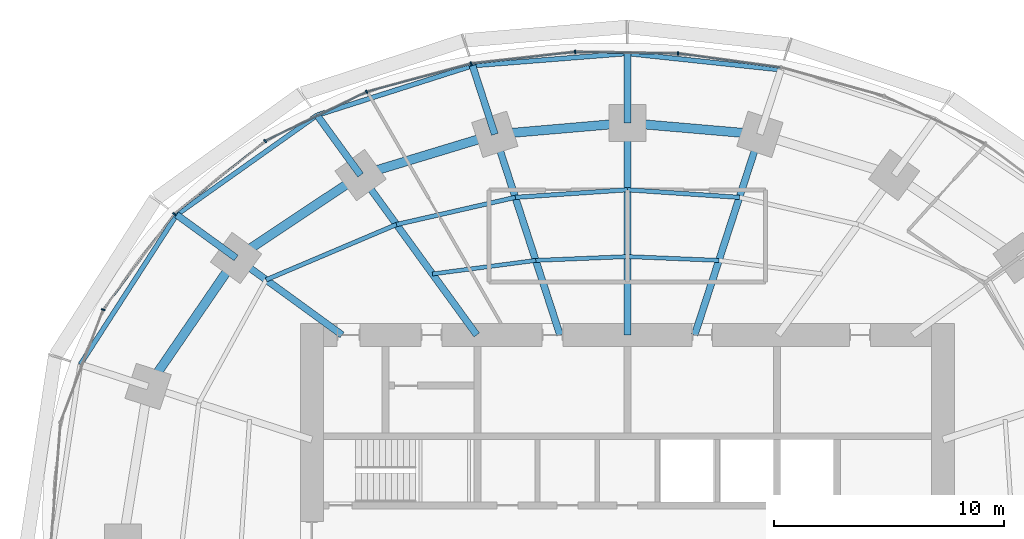
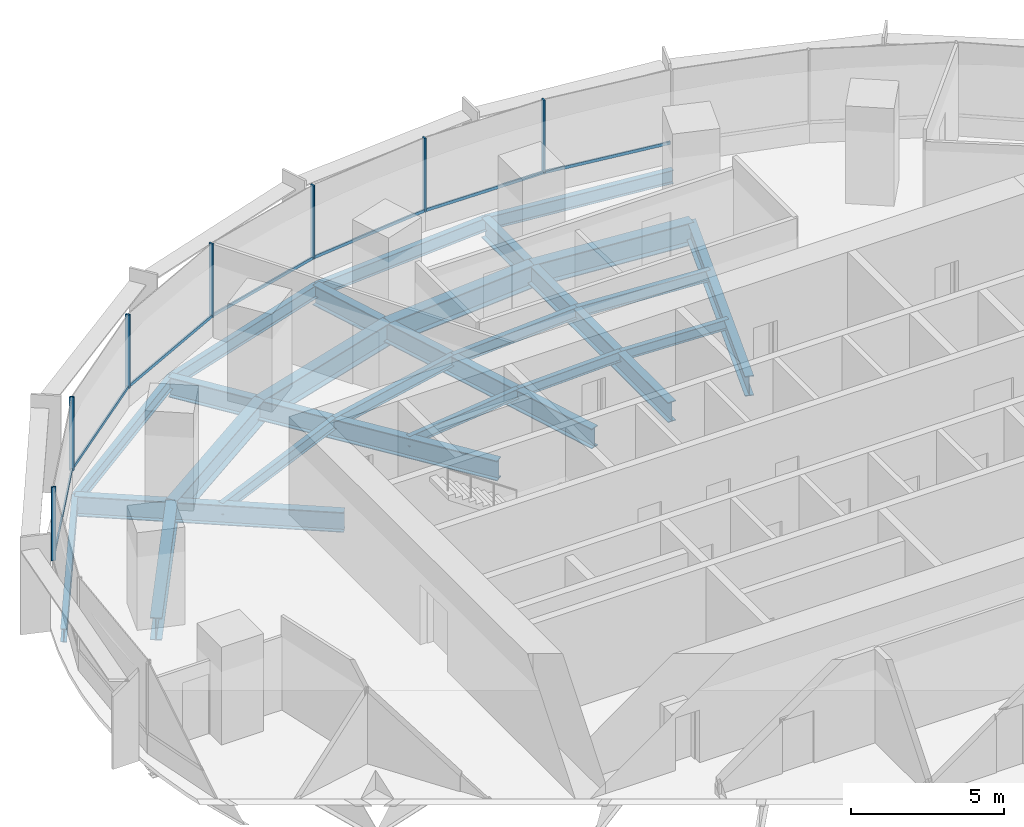
# One storey, part 7 of 14: 26 beams, 14 members, 2 elements without a shape of their own.
"""IFC4 building model written with IfcOpenShell, lengths in metres."""

from ifc_helpers import new_model, si_unit, direction, frame, origin, origin_2d, place, context, subcontext, project, spatial, rectangle, i_section, extrude, material, material_profile, profile_set, type_object, element, aggregate, save


model = new_model("IFC4")

# Units and contexts
model_context = context("Model", 3, precision=1e-05, world=origin(), true_north=direction((0.0, 1.0)))
body_context = subcontext(model_context, "Body", "Model", "MODEL_VIEW")
ifc_project = project(units=[si_unit("LENGTHUNIT", "METRE"), si_unit("AREAUNIT", "SQUARE_METRE"), si_unit("VOLUMEUNIT", "CUBIC_METRE"), si_unit("PLANEANGLEUNIT", "RADIAN"), si_unit("MASSUNIT", "GRAM", prefix="KILO")], contexts=[model_context])

# Site, building, storey
site_placement = place(None, origin())
site = spatial("IfcSite", under=ifc_project, at=site_placement, CompositionType="ELEMENT")
building_placement = place(site_placement, origin())
building = spatial("IfcBuilding", under=site, at=building_placement, Name="Marramba Exchange Tower", CompositionType="ELEMENT")
storey_placement = place(building_placement, frame((0.0, 0.0, 100.199951171875)))
storey = spatial("IfcBuildingStorey", under=building, at=storey_placement, Name="L23", CompositionType="ELEMENT", Elevation=100.199951171875)

# Beams
ifc_material_1 = material(Name="Steel AS/NZS 3679.2 grade 300", Category="steel")
ifc_material_profile_1 = material_profile(ifc_material_1, i_section(OverallWidth=0.300048828125, OverallDepth=0.800048828125, WebThickness=0.013916015625, FlangeThickness=0.031982421875, at=origin_2d()), Name="800WB192")
ifc_profile_set_1 = profile_set([ifc_material_profile_1], Name="Steel AS/NZS 3679.2 grade 300")
beam_type_1 = type_object("IfcBeamType", Name="Cantilever girder 800WB192", PredefinedType="BEAM", material=ifc_profile_set_1)
beam_1_placement = place(storey_placement, frame((0.0, 18.2041015625, -0.56005859375), z_axis=(0.0, 1.0, 0.0), x_axis=(-1.0, 0.0, 0.0)))
element("IfcBeam", 1, at=beam_1_placement, inside=storey, type_object=beam_type_1, Name="Cantilever girder L23 TC06", PredefinedType="BEAM", context=body_context, shape_type="SweptSolid", body=[
    extrude(i_section(OverallWidth=0.300048828125, OverallDepth=0.800048828125, WebThickness=0.013916015625, FlangeThickness=0.031982421875, at=origin_2d()), origin(), (0.0, 0.0, 1.0), 3.01904296875),
])
beam_2_placement = place(storey_placement, frame((-5.75390625, 17.70849609375, -0.56005859375), z_axis=(-0.309028002802, 0.95105293937, 0.0), x_axis=(-0.95105293937, -0.309028002802, 0.0)))
element("IfcBeam", 2, at=beam_2_placement, inside=storey, type_object=beam_type_1, Name="Cantilever girder L23 TC07", PredefinedType="BEAM", context=body_context, shape_type="SweptSolid", body=[
    extrude(i_section(OverallWidth=0.300048828125, OverallDepth=0.800048828125, WebThickness=0.013916015625, FlangeThickness=0.031982421875, at=origin_2d()), origin(), (0.0, 0.0, 1.0), 3.13720703125),
])
beam_3_placement = place(storey_placement, frame((-11.581298828125, 15.9404296875, -0.56005859375), z_axis=(-0.587828447158, 0.808985609706, 0.0), x_axis=(-0.808985609706, -0.587828447158, 0.0)))
element("IfcBeam", 3, at=beam_3_placement, inside=storey, type_object=beam_type_1, Name="Cantilever girder L23 TC08", PredefinedType="BEAM", context=body_context, shape_type="SweptSolid", body=[
    extrude(i_section(OverallWidth=0.300048828125, OverallDepth=0.800048828125, WebThickness=0.013916015625, FlangeThickness=0.031982421875, at=origin_2d()), origin(), (0.0, 0.0, 1.0), 3.214599609375),
])
beam_4_placement = place(storey_placement, frame((-16.98583984375, 12.3408203125, -0.56005859375), z_axis=(-0.809013857915, 0.587789569234, 0.0), x_axis=(-0.587789569234, -0.809013857915, 0.0)))
element("IfcBeam", 4, at=beam_4_placement, inside=storey, type_object=beam_type_1, Name="Cantilever girder L23 TC09", PredefinedType="BEAM", context=body_context, shape_type="SweptSolid", body=[
    extrude(i_section(OverallWidth=0.300048828125, OverallDepth=0.800048828125, WebThickness=0.013916015625, FlangeThickness=0.031982421875, at=origin_2d()), origin(), (0.0, 0.0, 1.0), 3.191650390625),
])
ifc_material_2 = material(Name="Steel AS/NZS 3679.1 grade 300", Category="steel")
ifc_material_profile_2 = material_profile(ifc_material_2, i_section(OverallWidth=0.177978515625, OverallDepth=0.406005859375, WebThickness=0.0078125, FlangeThickness=0.0126953125, FilletRadius=0.011474609375, at=origin_2d()), Name="410UB59.7")
ifc_profile_set_2 = profile_set([ifc_material_profile_2], Name="Steel AS/NZS 3679.1 grade 300")
beam_type_2 = type_object("IfcBeamType", Name="Floor joist 410UB59.7", PredefinedType="JOIST", material=ifc_profile_set_2)
for number, where, z_axis, x_axis, name in (
    (5, (3.975830078125, 12.236083984375, -0.363037109375), (-0.999137002892, 0.041536122257, 0.0), (-0.041536122257, -0.999137002892, 0.0), "Joist L23 bay 05 row 1"),
    (6, (0.0, 12.4013671875, -0.363037109375), (-0.999137002892, -0.041536122257, 0.0), (0.041536122257, -0.999137002892, 0.0), "Joist L23 bay 06 row 1"),
):
    element("IfcBeam", number, at=place(storey_placement, frame(where, z_axis=z_axis, x_axis=x_axis)), inside=storey, type_object=beam_type_2, Name=name, PredefinedType="JOIST", context=body_context, shape_type="SweptSolid", body=[
        extrude(i_section(OverallWidth=0.177978515625, OverallDepth=0.406005859375, WebThickness=0.0078125, FlangeThickness=0.0126953125, FilletRadius=0.011474609375, at=origin_2d()), origin(), (0.0, 0.0, 1.0), 3.979248046875),
    ])
beam_5_placement = place(storey_placement, frame((-3.975830078125, 12.236083984375, -0.363037109375), z_axis=(-0.991480538255, -0.130254912618, 0.0), x_axis=(0.130254912618, -0.991480538255, 0.0)))
element("IfcBeam", 7, at=beam_5_placement, inside=storey, type_object=beam_type_2, Name="Joist L23 bay 07 row 1", PredefinedType="JOIST", context=body_context, shape_type="SweptSolid", body=[
    extrude(i_section(OverallWidth=0.177978515625, OverallDepth=0.406005859375, WebThickness=0.0078125, FlangeThickness=0.0126953125, FilletRadius=0.011474609375, at=origin_2d()), origin(), (0.0, 0.0, 1.0), 4.524658203125),
])
ifc_material_profile_3 = material_profile(ifc_material_2, i_section(OverallWidth=0.18994140625, OverallDepth=0.4541015625, WebThickness=0.008544921875, FlangeThickness=0.0126953125, FilletRadius=0.011474609375, at=origin_2d()), Name="460UB67.1")
ifc_profile_set_3 = profile_set([ifc_material_profile_3], Name="Steel AS/NZS 3679.1 grade 300")
beam_type_3 = type_object("IfcBeamType", Name="Floor joist 460UB67.1", PredefinedType="JOIST", material=ifc_profile_set_3)
for number, where, z_axis, x_axis, name in (
    (8, (4.86474609375, 14.972412109375, -0.386962890625), (-0.997702652202, 0.067745241816, 0.0), (-0.067745241816, -0.997702652202, 0.0), "Joist L23 bay 05 row 2"),
    (9, (0.0, 15.302734375, -0.386962890625), (-0.997702652202, -0.067745241816, 0.0), (0.067745241816, -0.997702652202, 0.0), "Joist L23 bay 06 row 2"),
):
    element("IfcBeam", number, at=place(storey_placement, frame(where, z_axis=z_axis, x_axis=x_axis)), inside=storey, type_object=beam_type_3, Name=name, PredefinedType="JOIST", context=body_context, shape_type="SweptSolid", body=[
        extrude(i_section(OverallWidth=0.18994140625, OverallDepth=0.4541015625, WebThickness=0.008544921875, FlangeThickness=0.0126953125, FilletRadius=0.011474609375, at=origin_2d()), origin(), (0.0, 0.0, 1.0), 4.8759765625),
    ])
beam_6_placement = place(storey_placement, frame((-4.86474609375, 14.972412109375, -0.386962890625), z_axis=(-0.974859652292, -0.222819788916, 0.0), x_axis=(0.222819788916, -0.974859652292, 0.0)))
element("IfcBeam", 10, at=beam_6_placement, inside=storey, type_object=beam_type_3, Name="Joist L23 bay 07 row 2", PredefinedType="JOIST", context=body_context, shape_type="SweptSolid", body=[
    extrude(i_section(OverallWidth=0.18994140625, OverallDepth=0.4541015625, WebThickness=0.008544921875, FlangeThickness=0.0126953125, FilletRadius=0.011474609375, at=origin_2d()), origin(), (0.0, 0.0, 1.0), 5.2900390625),
])
beam_7_placement = place(storey_placement, frame((-10.021728515625, 13.793701171875, -0.386962890625), z_axis=(-0.920674336375, -0.390331610738, 0.0), x_axis=(0.390331610738, -0.920674336375, 0.0)))
element("IfcBeam", 11, at=beam_7_placement, inside=storey, type_object=beam_type_3, Name="Joist L23 bay 08 row 2", PredefinedType="JOIST", context=body_context, shape_type="SweptSolid", body=[
    extrude(i_section(OverallWidth=0.18994140625, OverallDepth=0.4541015625, WebThickness=0.008544921875, FlangeThickness=0.0126953125, FilletRadius=0.011474609375, at=origin_2d()), origin(), (0.0, 0.0, 1.0), 6.1484375),
])

# Curtain wall, members
ifc_material_3 = material(Name="Aluminium framing, bronze anodised", Category="aluminium")
curtain_wall_type = type_object("IfcCurtainWallType", Name="Office ribbon curtain wall", PredefinedType="USERDEFINED", material=ifc_material_3)
curtain_wall_1_placement = place(storey_placement, origin())
curtain_wall_1 = element("IfcCurtainWall", 12, at=curtain_wall_1_placement, inside=storey, type_object=curtain_wall_type, Name="Curtain wall CW4 L23 F06-F10", ObjectType="RIBBON CURTAIN WALL", PredefinedType="USERDEFINED")
ifc_material_4 = material(Name="Aluminium mullion, bronze anodised", Category="aluminium")
ifc_material_profile_4 = material_profile(ifc_material_4, rectangle(XDim=0.159912109375, YDim=0.06005859375, at=origin_2d()), Name="CW4 mullion 60x160")
ifc_profile_set_4 = profile_set([ifc_material_profile_4], Name="Aluminium mullion, bronze anodised")
member_type_1 = type_object("IfcMemberType", Name="Office ribbon curtain wall mullion", PredefinedType="MULLION", material=ifc_profile_set_4)
member_1_placement = place(storey_placement, frame((2.200439453125, 21.2216796875, 0.800048828125), z_axis=(0.0, 0.0, 1.0), x_axis=(-0.01575578169, -0.999875869968, 0.0)))
member_1 = element("IfcMember", 13, at=member_1_placement, type_object=member_type_1, Name="CW4 mullion 1", PredefinedType="MULLION", context=body_context, shape_type="SweptSolid", body=[
    extrude(rectangle(XDim=0.159912109375, YDim=0.06005859375, at=origin_2d()), origin(), (0.0, 0.0, 1.0), 2.93994140625),
])
member_2_placement = place(storey_placement, frame((-2.267578125, 21.288330078125, 0.800048828125), z_axis=(0.0, 0.0, 1.0), x_axis=(0.110973233233, -0.993823395532, 0.0)))
member_2 = element("IfcMember", 14, at=member_2_placement, type_object=member_type_1, Name="CW4 mullion 1", PredefinedType="MULLION", context=body_context, shape_type="SweptSolid", body=[
    extrude(rectangle(XDim=0.159912109375, YDim=0.06005859375, at=origin_2d()), origin(), (0.0, 0.0, 1.0), 2.93994140625),
])
member_3_placement = place(storey_placement, frame((-6.783203125, 20.779541015625, 0.800048828125), z_axis=(0.0, 0.0, 1.0), x_axis=(0.260321294588, -0.965522047176, 0.0)))
member_3 = element("IfcMember", 15, at=member_3_placement, type_object=member_type_1, Name="CW4 mullion 1", PredefinedType="MULLION", context=body_context, shape_type="SweptSolid", body=[
    extrude(rectangle(XDim=0.159912109375, YDim=0.06005859375, at=origin_2d()), origin(), (0.0, 0.0, 1.0), 2.93994140625),
])

curtain_wall_2_placement = place(storey_placement, origin())
curtain_wall_2 = element("IfcCurtainWall", 16, at=curtain_wall_2_placement, inside=storey, type_object=curtain_wall_type, Name="Curtain wall CW4 L23 F11-F15", ObjectType="RIBBON CURTAIN WALL", PredefinedType="USERDEFINED")
member_4_placement = place(storey_placement, frame((-11.32177734375, 19.550048828125, 0.800048828125), z_axis=(0.0, 0.0, 1.0), x_axis=(0.435427626771, -0.900223739881, 0.0)))
member_4 = element("IfcMember", 17, at=member_4_placement, type_object=member_type_1, Name="CW4 mullion 1", PredefinedType="MULLION", context=body_context, shape_type="SweptSolid", body=[
    extrude(rectangle(XDim=0.159912109375, YDim=0.06005859375, at=origin_2d()), origin(), (0.0, 0.0, 1.0), 2.93994140625),
])
member_5_placement = place(storey_placement, frame((-15.720703125, 17.414794921875, 0.800048828125), z_axis=(0.0, 0.0, 1.0), x_axis=(0.624307950145, -0.78117833008, 0.0)))
member_5 = element("IfcMember", 18, at=member_5_placement, type_object=member_type_1, Name="CW4 mullion 1", PredefinedType="MULLION", context=body_context, shape_type="SweptSolid", body=[
    extrude(rectangle(XDim=0.159912109375, YDim=0.06005859375, at=origin_2d()), origin(), (0.0, 0.0, 1.0), 2.93994140625),
])
member_6_placement = place(storey_placement, frame((-19.666748046875, 14.251708984375, 0.800048828125), z_axis=(0.0, 0.0, 1.0), x_axis=(0.80171686484, -0.597703997504, 0.0)))
member_6 = element("IfcMember", 19, at=member_6_placement, type_object=member_type_1, Name="CW4 mullion 1", PredefinedType="MULLION", context=body_context, shape_type="SweptSolid", body=[
    extrude(rectangle(XDim=0.159912109375, YDim=0.06005859375, at=origin_2d()), origin(), (0.0, 0.0, 1.0), 2.93994140625),
])
member_7_placement = place(storey_placement, frame((-22.75341796875, 10.09765625, 0.800048828125), z_axis=(0.0, 0.0, 1.0), x_axis=(0.934925346317, -0.354844468484, 0.0)))
member_7 = element("IfcMember", 20, at=member_7_placement, type_object=member_type_1, Name="CW4 mullion 1", PredefinedType="MULLION", context=body_context, shape_type="SweptSolid", body=[
    extrude(rectangle(XDim=0.159912109375, YDim=0.06005859375, at=origin_2d()), origin(), (0.0, 0.0, 1.0), 2.93994140625),
])

# Member
ifc_material_5 = material(Name="Aluminium transom, bronze anodised", Category="aluminium")
ifc_material_profile_5 = material_profile(ifc_material_5, rectangle(XDim=0.06005859375, YDim=0.1201171875, at=origin_2d()), Name="CW4 transom 60x120")
ifc_profile_set_5 = profile_set([ifc_material_profile_5], Name="Aluminium transom, bronze anodised")
member_type_2 = type_object("IfcMemberType", Name="Office ribbon curtain wall transom", PredefinedType="USERDEFINED", material=ifc_profile_set_5)
member_8_placement = place(storey_placement, frame((6.636962890625, 20.6171875, 0.830078125), z_axis=(-0.990736067897, 0.135801486619, 0.0), x_axis=(-0.135801486619, -0.990736067897, 0.0)))
member_8 = element("IfcMember", 21, at=member_8_placement, type_object=member_type_2, Name="CW4 sill transom", ObjectType="TRANSOM", PredefinedType="USERDEFINED", context=body_context, shape_type="SweptSolid", body=[
    extrude(rectangle(XDim=0.06005859375, YDim=0.1201171875, at=origin_2d()), origin(), (0.0, 0.0, 1.0), 4.44775390625),
])

member_9_placement = place(storey_placement, frame((2.17041015625, 21.22216796875, 0.830078125), z_axis=(-0.999875452363, 0.015782260962, 0.0), x_axis=(-0.015782260962, -0.999875452363, 0.0)))
member_9 = element("IfcMember", 22, at=member_9_placement, type_object=member_type_2, Name="CW4 sill transom", ObjectType="TRANSOM", PredefinedType="USERDEFINED", context=body_context, shape_type="SweptSolid", body=[
    extrude(rectangle(XDim=0.06005859375, YDim=0.1201171875, at=origin_2d()), origin(), (0.0, 0.0, 1.0), 4.40869140625),
])

member_10_placement = place(storey_placement, frame((-2.29736328125, 21.284912109375, 0.830078125), z_axis=(-0.993825837835, -0.110951358943, 0.0), x_axis=(0.110951358943, -0.993825837835, 0.0)))
member_10 = element("IfcMember", 23, at=member_10_placement, type_object=member_type_2, Name="CW4 sill transom", ObjectType="TRANSOM", PredefinedType="USERDEFINED", context=body_context, shape_type="SweptSolid", body=[
    extrude(rectangle(XDim=0.06005859375, YDim=0.1201171875, at=origin_2d()), origin(), (0.0, 0.0, 1.0), 4.484375),
])

member_11_placement = place(storey_placement, frame((-6.812255859375, 20.771728515625, 0.830078125), z_axis=(-0.965511085148, -0.260361948942, 0.0), x_axis=(0.260361948942, -0.965511085148, 0.0)))
member_11 = element("IfcMember", 24, at=member_11_placement, type_object=member_type_2, Name="CW4 sill transom", ObjectType="TRANSOM", PredefinedType="USERDEFINED", context=body_context, shape_type="SweptSolid", body=[
    extrude(rectangle(XDim=0.06005859375, YDim=0.1201171875, at=origin_2d()), origin(), (0.0, 0.0, 1.0), 4.642578125),
])

aggregate(curtain_wall_1, [member_8, member_1, member_9, member_2, member_10, member_3, member_11])

member_12_placement = place(storey_placement, frame((-11.348876953125, 19.536865234375, 0.830078125), z_axis=(-0.900223166385, -0.435428812442, 0.0), x_axis=(0.435428812442, -0.900223166385, 0.0)))
member_12 = element("IfcMember", 25, at=member_12_placement, type_object=member_type_2, Name="CW4 sill transom", ObjectType="TRANSOM", PredefinedType="USERDEFINED", context=body_context, shape_type="SweptSolid", body=[
    extrude(rectangle(XDim=0.06005859375, YDim=0.1201171875, at=origin_2d()), origin(), (0.0, 0.0, 1.0), 4.830322265625),
])

member_13_placement = place(storey_placement, frame((-15.744140625, 17.396240234375, 0.830078125), z_axis=(-0.781164169531, -0.624325668414, 0.0), x_axis=(0.624325668414, -0.781164169531, 0.0)))
member_13 = element("IfcMember", 26, at=member_13_placement, type_object=member_type_2, Name="CW4 sill transom", ObjectType="TRANSOM", PredefinedType="USERDEFINED", context=body_context, shape_type="SweptSolid", body=[
    extrude(rectangle(XDim=0.06005859375, YDim=0.1201171875, at=origin_2d()), origin(), (0.0, 0.0, 1.0), 4.998291015625),
])

member_14_placement = place(storey_placement, frame((-19.6845703125, 14.2275390625, 0.830078125), z_axis=(-0.597714731658, -0.801708862093, 0.0), x_axis=(0.801708862093, -0.597714731658, 0.0)))
member_14 = element("IfcMember", 27, at=member_14_placement, type_object=member_type_2, Name="CW4 sill transom", ObjectType="TRANSOM", PredefinedType="USERDEFINED", context=body_context, shape_type="SweptSolid", body=[
    extrude(rectangle(XDim=0.06005859375, YDim=0.1201171875, at=origin_2d()), origin(), (0.0, 0.0, 1.0), 5.1162109375),
])

aggregate(curtain_wall_2, [member_4, member_12, member_5, member_13, member_6, member_14, member_7])

# Beams
ifc_material_profile_6 = material_profile(ifc_material_1, i_section(OverallWidth=0.300048828125, OverallDepth=0.800048828125, WebThickness=0.013916015625, FlangeThickness=0.031982421875, at=origin_2d()), Name="800WB192")
ifc_profile_set_6 = profile_set([ifc_material_profile_6], Name="Steel AS/NZS 3679.2 grade 300")
beam_type_4 = type_object("IfcBeamType", Name="Radial girder 800WB192", PredefinedType="BEAM", material=ifc_profile_set_6)
beam_8_placement = place(storey_placement, frame((2.92431640625, 9.0, -0.56005859375), z_axis=(0.309019754162, 0.951055619582, 0.0), x_axis=(-0.951055619582, 0.309019754162, 0.0)))
element("IfcBeam", 28, at=beam_8_placement, inside=storey, type_object=beam_type_4, Name="Radial girder L23 TC05", PredefinedType="BEAM", context=body_context, shape_type="SweptSolid", body=[
    extrude(i_section(OverallWidth=0.300048828125, OverallDepth=0.800048828125, WebThickness=0.013916015625, FlangeThickness=0.031982421875, at=origin_2d()), origin(), (0.0, 0.0, 1.0), 9.15673828125),
])
beam_9_placement = place(storey_placement, frame((0.0, 9.0, -0.56005859375), z_axis=(0.0, 1.0, 0.0), x_axis=(-1.0, 0.0, 0.0)))
element("IfcBeam", 29, at=beam_9_placement, inside=storey, type_object=beam_type_4, Name="Radial girder L23 TC06", PredefinedType="BEAM", context=body_context, shape_type="SweptSolid", body=[
    extrude(i_section(OverallWidth=0.300048828125, OverallDepth=0.800048828125, WebThickness=0.013916015625, FlangeThickness=0.031982421875, at=origin_2d()), origin(), (0.0, 0.0, 1.0), 9.2041015625),
])
beam_10_placement = place(storey_placement, frame((-2.92431640625, 9.0, -0.56005859375), z_axis=(-0.309019754162, 0.951055619582, 0.0), x_axis=(-0.951055619582, -0.309019754162, 0.0)))
element("IfcBeam", 30, at=beam_10_placement, inside=storey, type_object=beam_type_4, Name="Radial girder L23 TC07", PredefinedType="BEAM", context=body_context, shape_type="SweptSolid", body=[
    extrude(i_section(OverallWidth=0.300048828125, OverallDepth=0.800048828125, WebThickness=0.013916015625, FlangeThickness=0.031982421875, at=origin_2d()), origin(), (0.0, 0.0, 1.0), 9.15673828125),
])
beam_11_placement = place(storey_placement, frame((-6.538818359375, 9.0, -0.56005859375), z_axis=(-0.587782439969, 0.80901903764, 0.0), x_axis=(-0.80901903764, -0.587782439969, 0.0)))
element("IfcBeam", 31, at=beam_11_placement, inside=storey, type_object=beam_type_4, Name="Radial girder L23 TC08", PredefinedType="BEAM", context=body_context, shape_type="SweptSolid", body=[
    extrude(i_section(OverallWidth=0.300048828125, OverallDepth=0.800048828125, WebThickness=0.013916015625, FlangeThickness=0.031982421875, at=origin_2d()), origin(), (0.0, 0.0, 1.0), 8.578857421875),
])
beam_12_placement = place(storey_placement, frame((-12.387451171875, 9.0, -0.56005859375), z_axis=(-0.809025746925, 0.587773205252, 0.0), x_axis=(-0.587773205252, -0.809025746925, 0.0)))
element("IfcBeam", 32, at=beam_12_placement, inside=storey, type_object=beam_type_4, Name="Radial girder L23 TC09", PredefinedType="BEAM", context=body_context, shape_type="SweptSolid", body=[
    extrude(i_section(OverallWidth=0.300048828125, OverallDepth=0.800048828125, WebThickness=0.013916015625, FlangeThickness=0.031982421875, at=origin_2d()), origin(), (0.0, 0.0, 1.0), 5.683837890625),
])
ifc_material_profile_7 = material_profile(ifc_material_1, i_section(OverallWidth=0.39990234375, OverallDepth=0.89990234375, WebThickness=0.01611328125, FlangeThickness=0.031982421875, at=origin_2d()), Name="900WB282")
ifc_profile_set_7 = profile_set([ifc_material_profile_7], Name="Steel AS/NZS 3679.2 grade 300")
beam_type_5 = type_object("IfcBeamType", Name="Ring beam 900WB282", PredefinedType="SPANDREL", material=ifc_profile_set_7)
for number, where, z_axis, x_axis, name in (
    (33, (5.75390625, 17.70849609375, -0.60986328125), (-0.996311003275, 0.085815993578, 0.0), (-0.085815993578, -0.996311003275, 0.0), "Ring beam L23 TC05-TC06"),
    (34, (0.0, 18.2041015625, -0.60986328125), (-0.996311003275, -0.085815993578, 0.0), (0.085815993578, -0.996311003275, 0.0), "Ring beam L23 TC06-TC07"),
):
    element("IfcBeam", number, at=place(storey_placement, frame(where, z_axis=z_axis, x_axis=x_axis)), inside=storey, type_object=beam_type_5, Name=name, PredefinedType="SPANDREL", context=body_context, shape_type="SweptSolid", body=[
        extrude(i_section(OverallWidth=0.39990234375, OverallDepth=0.89990234375, WebThickness=0.01611328125, FlangeThickness=0.031982421875, at=origin_2d()), origin(), (0.0, 0.0, 1.0), 5.775146484375),
    ])
beam_13_placement = place(storey_placement, frame((-5.75390625, 17.70849609375, -0.60986328125), z_axis=(-0.956924542524, -0.290336735387, 0.0), x_axis=(0.290336735387, -0.956924542524, 0.0)))
element("IfcBeam", 35, at=beam_13_placement, inside=storey, type_object=beam_type_5, Name="Ring beam L23 TC07-TC08", PredefinedType="SPANDREL", context=body_context, shape_type="SweptSolid", body=[
    extrude(i_section(OverallWidth=0.39990234375, OverallDepth=0.89990234375, WebThickness=0.01611328125, FlangeThickness=0.031982421875, at=origin_2d()), origin(), (0.0, 0.0, 1.0), 6.089599609375),
])
beam_14_placement = place(storey_placement, frame((-11.581298828125, 15.9404296875, -0.60986328125), z_axis=(-0.832293151443, -0.554335737673, 0.0), x_axis=(0.554335737673, -0.832293151443, 0.0)))
element("IfcBeam", 36, at=beam_14_placement, inside=storey, type_object=beam_type_5, Name="Ring beam L23 TC08-TC09", PredefinedType="SPANDREL", context=body_context, shape_type="SweptSolid", body=[
    extrude(i_section(OverallWidth=0.39990234375, OverallDepth=0.89990234375, WebThickness=0.01611328125, FlangeThickness=0.031982421875, at=origin_2d()), origin(), (0.0, 0.0, 1.0), 6.49365234375),
])
beam_15_placement = place(storey_placement, frame((-16.98583984375, 12.3408203125, -0.60986328125), z_axis=(-0.56516002054, -0.824981303535, 0.0), x_axis=(0.824981303535, -0.56516002054, 0.0)))
element("IfcBeam", 37, at=beam_15_placement, inside=storey, type_object=beam_type_5, Name="Ring beam L23 TC09-TC10", PredefinedType="SPANDREL", context=body_context, shape_type="SweptSolid", body=[
    extrude(i_section(OverallWidth=0.39990234375, OverallDepth=0.89990234375, WebThickness=0.01611328125, FlangeThickness=0.031982421875, at=origin_2d()), origin(), (0.0, 0.0, 1.0), 6.763671875),
])
ifc_material_profile_8 = material_profile(ifc_material_2, i_section(OverallWidth=0.208984375, OverallDepth=0.528076171875, WebThickness=0.009521484375, FlangeThickness=0.01318359375, FilletRadius=0.013916015625, at=origin_2d()), Name="530UB82.0")
ifc_profile_set_8 = profile_set([ifc_material_profile_8], Name="Steel AS/NZS 3679.1 grade 300")
beam_type_6 = type_object("IfcBeamType", Name="Slab edge beam 530UB82.0", PredefinedType="SPANDREL", material=ifc_profile_set_8)
beam_16_placement = place(storey_placement, frame((6.66552734375, 20.51416015625, -0.424072265625), z_axis=(-0.994390706415, 0.105769196815, 0.0), x_axis=(-0.105769196815, -0.994390706415, 0.0)))
element("IfcBeam", 38, at=beam_16_placement, inside=storey, type_object=beam_type_6, Name="Slab edge beam L23 TC05-TC06", PredefinedType="SPANDREL", context=body_context, shape_type="SweptSolid", body=[
    extrude(i_section(OverallWidth=0.208984375, OverallDepth=0.528076171875, WebThickness=0.009521484375, FlangeThickness=0.01318359375, FilletRadius=0.013916015625, at=origin_2d()), origin(), (0.0, 0.0, 1.0), 6.703125),
])
beam_17_placement = place(storey_placement, frame((0.0, 21.22314453125, -0.424072265625), z_axis=(-0.996895681721, -0.078733726996, 0.0), x_axis=(0.078733726996, -0.996895681721, 0.0)))
element("IfcBeam", 39, at=beam_17_placement, inside=storey, type_object=beam_type_6, Name="Slab edge beam L23 TC06-TC07", PredefinedType="SPANDREL", context=body_context, shape_type="SweptSolid", body=[
    extrude(i_section(OverallWidth=0.208984375, OverallDepth=0.528076171875, WebThickness=0.009521484375, FlangeThickness=0.01318359375, FilletRadius=0.013916015625, at=origin_2d()), origin(), (0.0, 0.0, 1.0), 6.744384765625),
])
beam_18_placement = place(storey_placement, frame((-6.723388671875, 20.692138671875, -0.424072265625), z_axis=(-0.952755400854, -0.303738614839, 0.0), x_axis=(0.303738614839, -0.952755400854, 0.0)))
element("IfcBeam", 40, at=beam_18_placement, inside=storey, type_object=beam_type_6, Name="Slab edge beam L23 TC07-TC08", PredefinedType="SPANDREL", context=body_context, shape_type="SweptSolid", body=[
    extrude(i_section(OverallWidth=0.208984375, OverallDepth=0.528076171875, WebThickness=0.009521484375, FlangeThickness=0.01318359375, FilletRadius=0.013916015625, at=origin_2d()), origin(), (0.0, 0.0, 1.0), 7.08203125),
])
beam_19_placement = place(storey_placement, frame((-13.470947265625, 18.541015625, -0.424072265625), z_axis=(-0.815673202412, -0.578512944425, 0.0), x_axis=(0.578512944425, -0.815673202412, 0.0)))
element("IfcBeam", 41, at=beam_19_placement, inside=storey, type_object=beam_type_6, Name="Slab edge beam L23 TC08-TC09", PredefinedType="SPANDREL", context=body_context, shape_type="SweptSolid", body=[
    extrude(i_section(OverallWidth=0.208984375, OverallDepth=0.528076171875, WebThickness=0.009521484375, FlangeThickness=0.01318359375, FilletRadius=0.013916015625, at=origin_2d()), origin(), (0.0, 0.0, 1.0), 7.474609375),
])
beam_20_placement = place(storey_placement, frame((-19.56787109375, 14.216796875, -0.424072265625), z_axis=(-0.541060886597, -0.840983422544, 0.0), x_axis=(0.840983422544, -0.541060886597, 0.0)))
element("IfcBeam", 42, at=beam_20_placement, inside=storey, type_object=beam_type_6, Name="Slab edge beam L23 TC09-TC10", PredefinedType="SPANDREL", context=body_context, shape_type="SweptSolid", body=[
    extrude(i_section(OverallWidth=0.208984375, OverallDepth=0.528076171875, WebThickness=0.009521484375, FlangeThickness=0.01318359375, FilletRadius=0.013916015625, at=origin_2d()), origin(), (0.0, 0.0, 1.0), 7.72900390625),
])

save(model, "model.ifc")
